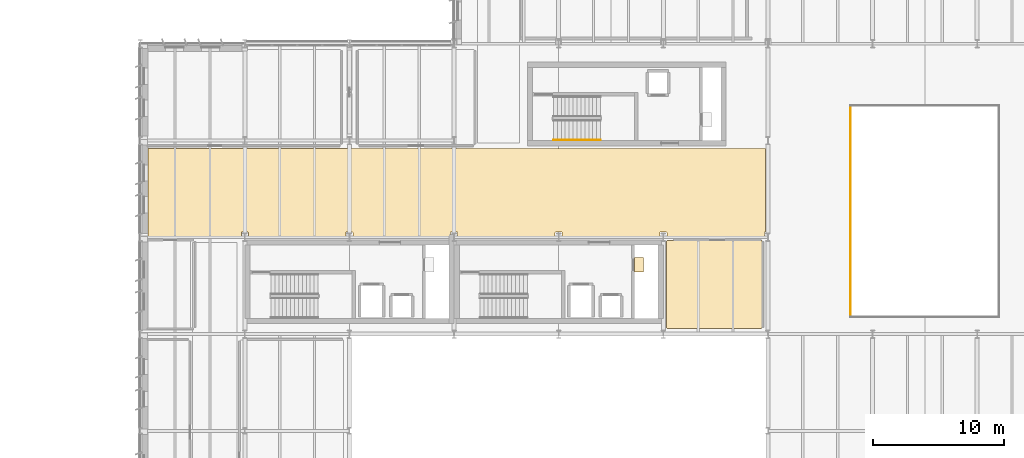
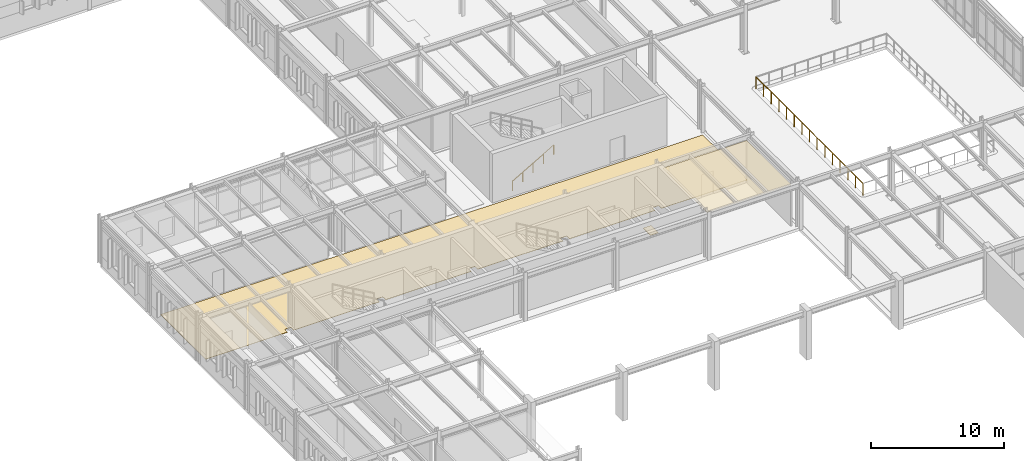
# One storey, part 58 of 75: 3 coverings, 2 railings.
"""IFC4 building model written with IfcOpenShell, lengths in metres."""

import ifcopenshell
import ifcopenshell.guid

model = None  # the IFC model being written
_history = None  # IfcOwnerHistory: only IFC2X3 demands one
_inside = {}  # id of a spatial element -> (the spatial element, [elements in it])
_under = {}  # id of a project, library or spatial element -> (it, [spatial elements below it])
_declared = {}  # id of a project -> (the project, [libraries it declares])
_typed = {}  # id of a type object -> (the type object, [elements of that type])
_made_of = {}  # id of a material, layer set ... -> (it, [elements and type objects made of it])


def new_model(schema):
    """Start an empty IFC model of exactly this schema.

    Asked for "IFC4X3", IfcOpenShell would pick the latest addendum, in which some entities
    have other attributes; the version numbers below select the first issue.
    IFC2X3 requires an IfcOwnerHistory on every rooted entity: one is made here for all.
    """
    global model, _history
    if schema == "IFC4X3":
        model = ifcopenshell.file(schema_version=(4, 3, 0, 0))
    else:
        model = ifcopenshell.file(schema=schema)
    _inside.clear()
    _under.clear()
    _declared.clear()
    _typed.clear()
    _made_of.clear()
    _history = None
    if model.schema == "IFC2X3":
        org = make("IfcOrganization", Name="unknown")
        user = make(
            "IfcPersonAndOrganization",
            ThePerson=make("IfcPerson", FamilyName="unknown"),
            TheOrganization=org,
        )
        app = make(
            "IfcApplication",
            ApplicationDeveloper=org,
            Version="unknown",
            ApplicationFullName="unknown",
            ApplicationIdentifier="unknown",
        )
        _history = make(
            "IfcOwnerHistory",
            OwningUser=user,
            OwningApplication=app,
            ChangeAction="ADDED",
            CreationDate=0,
        )
    return model


def make(cls, **values):
    """One entity of the class cls with the attributes given. An attribute that is None is left unset."""
    return model.create_entity(
        cls, **{name: value for name, value in values.items() if value is not None}
    )


def rooted(cls, **values):
    """An entity with a GlobalId (a new one), such as an element, a storey or a relation."""
    return make(cls, GlobalId=ifcopenshell.guid.new(), OwnerHistory=_history, **values)


def si_unit(unit_type, name, prefix=None):
    """IfcSIUnit, for example si_unit("LENGTHUNIT", "METRE", prefix="MILLI")."""
    return make("IfcSIUnit", UnitType=unit_type, Prefix=prefix, Name=name)


def assignment(units):
    """IfcUnitAssignment: the units of a project."""
    return None if units is None else make("IfcUnitAssignment", Units=units)


def point(xyz):
    """IfcCartesianPoint."""
    return None if xyz is None else make("IfcCartesianPoint", Coordinates=xyz)


def direction(xyz):
    """IfcDirection."""
    return None if xyz is None else make("IfcDirection", DirectionRatios=xyz)


def frame(location, z_axis=None, x_axis=None):
    """IfcAxis2Placement3D, a coordinate frame: its origin and axes. An axis left out is left unset."""
    return make(
        "IfcAxis2Placement3D",
        Location=point(location),
        Axis=direction(z_axis),
        RefDirection=direction(x_axis),
    )


def frame_2d(location, x_axis=None):
    """IfcAxis2Placement2D, a coordinate frame in the plane: its origin and x axis."""
    return make(
        "IfcAxis2Placement2D", Location=point(location), RefDirection=direction(x_axis)
    )


def origin():
    """The frame at (0, 0, 0) with its axes left unset."""
    return frame((0.0, 0.0, 0.0))


def origin_2d():
    """The frame at (0, 0) in the plane with its x axis left unset."""
    return frame_2d((0.0, 0.0))


def place(relative_to, where):
    """IfcLocalPlacement: puts the frame where relative to a parent placement (None: the world)."""
    return make(
        "IfcLocalPlacement", PlacementRelTo=relative_to, RelativePlacement=where
    )


def context(
    kind, dimensions, precision=None, world=None, true_north=None, identifier=None
):
    """IfcGeometricRepresentationContext, for example the 3D "Model" context."""
    return make(
        "IfcGeometricRepresentationContext",
        ContextIdentifier=identifier,
        ContextType=kind,
        CoordinateSpaceDimension=dimensions,
        Precision=precision,
        WorldCoordinateSystem=world,
        TrueNorth=true_north,
    )


def subcontext(parent, identifier, kind, view, scale=None):
    """IfcGeometricRepresentationSubContext, for example "Body" below "Model"."""
    return make(
        "IfcGeometricRepresentationSubContext",
        ContextIdentifier=identifier,
        ContextType=kind,
        ParentContext=parent,
        TargetScale=scale,
        TargetView=view,
    )


def project(units=None, contexts=None):
    """IfcProject with its units and contexts."""
    return rooted(
        "IfcProject",
        Name="project",
        RepresentationContexts=contexts,
        UnitsInContext=assignment(units),
    )


def spatial(cls, under=None, at=None, **own):
    """A site, building, storey or space (cls), placed at a placement, below another one or the project."""
    s = rooted(cls, ObjectPlacement=at, **own)
    if under is not None:
        _under.setdefault(under.id(), (under, []))[1].append(s)
    return s


def polyline(points):
    """IfcPolyline through the points."""
    return make("IfcPolyline", Points=[point(p) for p in points])


def profile(cls, at=None, kind="AREA", **sizes):
    """A parametric profile (cls). Its sizes go by their IFC names, for example OverallWidth=200.0."""
    return make(cls, ProfileType=kind, Position=at, **sizes)


def circle(**sizes):
    """IfcCircleProfileDef."""
    return profile("IfcCircleProfileDef", **sizes)


def outline(outer, holes=None, kind="AREA"):
    """IfcArbitraryClosedProfileDef: a profile drawn as a closed curve; with holes, ...WithVoids."""
    if holes is None:
        return make("IfcArbitraryClosedProfileDef", ProfileType=kind, OuterCurve=outer)
    return make(
        "IfcArbitraryProfileDefWithVoids",
        ProfileType=kind,
        OuterCurve=outer,
        InnerCurves=holes,
    )


def extrude(swept, where, along, depth):
    """IfcExtrudedAreaSolid: the profile swept, set in the frame where, extruded along a direction by depth."""
    return make(
        "IfcExtrudedAreaSolid",
        SweptArea=swept,
        Position=where,
        ExtrudedDirection=direction(along),
        Depth=depth,
    )


def shape(context_of_items, identifier, shape_type, items):
    """IfcShapeRepresentation: the items that make up one representation, for example the "Body"."""
    return make(
        "IfcShapeRepresentation",
        ContextOfItems=context_of_items,
        RepresentationIdentifier=identifier,
        RepresentationType=shape_type,
        Items=items,
    )


def material(Name=None, Category=None):
    """IfcMaterial."""
    return make("IfcMaterial", Name=Name, Category=Category)


def layer(
    of_material, thickness, ventilated=None, Name=None, Category=None, Priority=None
):
    """IfcMaterialLayer: one layer of a wall or slab, of a material (None: an air gap)."""
    return make(
        "IfcMaterialLayer",
        Material=of_material,
        LayerThickness=thickness,
        IsVentilated=ventilated,
        Name=Name,
        Category=Category,
        Priority=Priority,
    )


def layer_set(layers, Name=None):
    """IfcMaterialLayerSet."""
    return make("IfcMaterialLayerSet", MaterialLayers=layers, LayerSetName=Name)


def made_of(thing, what):
    """Note that an element or type object is made of a material, layer set ...; save() writes the relation."""
    if what is not None:
        _made_of.setdefault(what.id(), (what, []))[1].append(thing)
    return thing


def type_object(cls, material=None, **own):
    """A type object (cls), such as IfcWallType, which elements share."""
    return made_of(rooted(cls, **own), material)


def element(
    cls,
    number,
    at=None,
    inside=None,
    cuts=None,
    type_object=None,
    material=None,
    context=None,
    identifier="Body",
    shape_type=None,
    held_by="IfcProductDefinitionShape",
    body=None,
    shapes=None,
    **own,
):
    """One element of the class cls, such as IfcWall. Its Tag is "e" and its number.

    at: its placement. inside: the storey or other place that contains it. cuts: it is an
    opening in that element (IfcRelVoidsElement). A single representation is given by context,
    identifier, shape_type and body (its items); several are given by shapes. held_by: the class
    of the entity that holds the representations. save() writes the other relations.
    """
    e = rooted(cls, Tag="e%d" % number, ObjectPlacement=at, **own)
    if body is not None:
        shapes = [shape(context, identifier, shape_type, body)]
    if shapes is not None:
        e.Representation = make(held_by, Representations=shapes)
    if inside is not None:
        _inside.setdefault(inside.id(), (inside, []))[1].append(e)
    if cuts is not None:
        rooted(
            "IfcRelVoidsElement", RelatingBuildingElement=cuts, RelatedOpeningElement=e
        )
    if type_object is not None:
        _typed.setdefault(type_object.id(), (type_object, []))[1].append(e)
    return made_of(e, material)


def aggregate(whole, parts):
    """IfcRelAggregates: a whole, such as a stair, and the parts it consists of."""
    return rooted("IfcRelAggregates", RelatingObject=whole, RelatedObjects=parts)


def save(model, path):
    """Write the relations noted so far, then the file.

    IfcRelAggregates (storeys below a building ...), IfcRelContainedInSpatialStructure (elements
    in a storey), IfcRelDefinesByType, IfcRelAssociatesMaterial and IfcRelDeclares: one each for
    every whole, place, type object, material and project.
    """
    for whole, parts in _under.values():
        aggregate(whole, parts)
    for where, things in _inside.values():
        rooted(
            "IfcRelContainedInSpatialStructure",
            RelatedElements=things,
            RelatingStructure=where,
        )
    for kind, things in _typed.values():
        rooted("IfcRelDefinesByType", RelatedObjects=things, RelatingType=kind)
    for what, things in _made_of.values():
        rooted("IfcRelAssociatesMaterial", RelatedObjects=things, RelatingMaterial=what)
    for by, libraries in _declared.values():
        rooted("IfcRelDeclares", RelatingContext=by, RelatedDefinitions=libraries)
    model.write(path)


model = new_model("IFC4")

# Units and contexts
model_context = context("Model", 3, precision=1e-05, world=origin(), true_north=direction((0.0, 1.0)))
body_context = subcontext(model_context, "Body", "Model", "MODEL_VIEW")
ifc_project = project(units=[si_unit("LENGTHUNIT", "METRE"), si_unit("AREAUNIT", "SQUARE_METRE"), si_unit("VOLUMEUNIT", "CUBIC_METRE"), si_unit("PLANEANGLEUNIT", "RADIAN"), si_unit("MASSUNIT", "GRAM", prefix="KILO")], contexts=[model_context])

# Site, building, storey
site_placement = place(None, origin())
site = spatial("IfcSite", under=ifc_project, at=site_placement, CompositionType="ELEMENT")
building_placement = place(site_placement, origin())
building = spatial("IfcBuilding", under=site, at=building_placement, Name="Valkorina Park Police Headquarters", CompositionType="ELEMENT")
storey_placement = place(building_placement, frame((0.0, 0.0, 5.39990234375)))
storey = spatial("IfcBuildingStorey", under=building, at=storey_placement, Name="L02", CompositionType="ELEMENT", Elevation=5.39990234375)

# Coverings
ifc_material_1 = material(Name="Acoustic mineral board")
ifc_layer_1 = layer(ifc_material_1, 0.02490234375)
ifc_layer_set_1 = layer_set([ifc_layer_1], Name="Acoustic mineral board")
covering_type_1 = type_object("IfcCoveringType", Name="COV-CEILING-ACOUST", PredefinedType="CEILING", material=ifc_layer_set_1)
covering_1_placement = place(storey_placement, frame((0.0, 0.0, 3.85498046875)))
element("IfcCovering", 1, at=covering_1_placement, inside=storey, type_object=covering_type_1, Name="L02 Accessible WC Acoustic Suspended Ceiling", PredefinedType="CEILING", context=body_context, shape_type="SweptSolid", body=[
    extrude(outline(polyline([(56.3583984375, 37.50439453125), (56.359619140625, 37.51220703125), (56.360107421875, 37.52001953125), (56.360107421875, 44.080078125), (56.359619140625, 44.087890625), (56.3583984375, 44.095703125), (56.356689453125, 44.103271484375), (56.35400390625, 44.110595703125), (56.3505859375, 44.11767578125), (56.346435546875, 44.12451171875), (56.341796875, 44.130859375), (56.336669921875, 44.13671875), (56.330810546875, 44.141845703125), (56.324462890625, 44.146484375), (56.317626953125, 44.150634765625), (56.310546875, 44.15380859375), (56.30322265625, 44.156494140625), (56.295654296875, 44.158447265625), (56.287841796875, 44.15966796875), (56.280029296875, 44.159912109375), (49.1201171875, 44.159912109375), (49.1123046875, 44.15966796875), (49.1044921875, 44.158447265625), (49.0966796875, 44.156494140625), (49.08935546875, 44.15380859375), (49.082275390625, 44.150634765625), (49.07568359375, 44.146484375), (49.069091796875, 44.141845703125), (49.0634765625, 44.13671875), (49.05810546875, 44.130859375), (49.053466796875, 44.12451171875), (49.04931640625, 44.11767578125), (49.046142578125, 44.110595703125), (49.04345703125, 44.103271484375), (49.04150390625, 44.095703125), (49.040283203125, 44.087890625), (49.0400390625, 44.080078125), (49.0400390625, 37.52001953125), (49.040283203125, 37.51220703125), (49.04150390625, 37.50439453125), (49.04345703125, 37.496826171875), (49.046142578125, 37.489501953125), (49.04931640625, 37.482421875), (49.053466796875, 37.4755859375), (49.05810546875, 37.46923828125), (49.0634765625, 37.46337890625), (49.069091796875, 37.458251953125), (49.07568359375, 37.45361328125), (49.082275390625, 37.449462890625), (49.08935546875, 37.446044921875), (49.0966796875, 37.443359375), (49.1044921875, 37.44140625), (49.1123046875, 37.4404296875), (49.1201171875, 37.43994140625), (56.280029296875, 37.43994140625), (56.287841796875, 37.4404296875), (56.295654296875, 37.44140625), (56.30322265625, 37.443359375), (56.310546875, 37.446044921875), (56.317626953125, 37.449462890625), (56.324462890625, 37.45361328125), (56.330810546875, 37.458251953125), (56.336669921875, 37.46337890625), (56.341796875, 37.46923828125), (56.346435546875, 37.4755859375), (56.3505859375, 37.482421875), (56.35400390625, 37.489501953125), (56.356689453125, 37.496826171875), (56.3583984375, 37.50439453125)])), origin(), (0.0, 0.0, 1.0), 0.025146484375),
])
ifc_material_2 = material(Name="Resin terrazzo flooring")
ifc_layer_2 = layer(ifc_material_2, 0.030029296875)
ifc_layer_set_2 = layer_set([ifc_layer_2], Name="Resin terrazzo flooring")
covering_type_2 = type_object("IfcCoveringType", Name="COV-FLOOR-TERRAZZO", PredefinedType="FLOORING", material=ifc_layer_set_2)
covering_2_placement = place(storey_placement, origin())
element("IfcCovering", 2, at=covering_2_placement, inside=storey, type_object=covering_type_2, Name="Core C2 L02 Riser Inspection Threshold Grate", PredefinedType="FLOORING", context=body_context, shape_type="SweptSolid", body=[
    extrude(outline(polyline([(47.280029296875, 41.75), (47.280029296875, 42.85009765625), (46.580078125, 42.85009765625), (46.580078125, 41.75), (47.280029296875, 41.75)])), origin(), (0.0, 0.0, 1.0), 0.030029296875),
])
covering_3_placement = place(storey_placement, origin())
element("IfcCovering", 3, at=covering_3_placement, inside=storey, type_object=covering_type_2, Name="L02 Spine Corridor Terrazzo Flooring", PredefinedType="FLOORING", context=body_context, shape_type="SweptSolid", body=[
    extrude(outline(polyline([(56.60009765625, 51.199951171875), (9.39990234375, 51.199951171875), (9.39990234375, 44.39990234375), (16.530029296875, 44.39990234375), (16.530029296875, 44.739990234375), (16.530517578125, 44.747802734375), (16.531494140625, 44.755615234375), (16.533447265625, 44.76318359375), (16.5361328125, 44.7705078125), (16.539306640625, 44.777587890625), (16.54345703125, 44.784423828125), (16.548095703125, 44.790771484375), (16.553466796875, 44.796630859375), (16.55908203125, 44.8017578125), (16.565673828125, 44.806396484375), (16.572265625, 44.810546875), (16.579345703125, 44.81396484375), (16.5869140625, 44.816650390625), (16.594482421875, 44.818603515625), (16.602294921875, 44.819580078125), (16.610107421875, 44.820068359375), (16.989990234375, 44.820068359375), (16.997802734375, 44.819580078125), (17.005615234375, 44.818603515625), (17.01318359375, 44.816650390625), (17.0205078125, 44.81396484375), (17.027587890625, 44.810546875), (17.034423828125, 44.806396484375), (17.040771484375, 44.8017578125), (17.046630859375, 44.796630859375), (17.0517578125, 44.790771484375), (17.056396484375, 44.784423828125), (17.060546875, 44.777587890625), (17.06396484375, 44.7705078125), (17.066650390625, 44.76318359375), (17.068603515625, 44.755615234375), (17.069580078125, 44.747802734375), (17.070068359375, 44.739990234375), (17.070068359375, 44.39990234375), (24.530029296875, 44.39990234375), (24.530029296875, 44.739990234375), (24.530517578125, 44.747802734375), (24.531494140625, 44.755615234375), (24.533447265625, 44.76318359375), (24.5361328125, 44.7705078125), (24.539306640625, 44.777587890625), (24.54345703125, 44.784423828125), (24.548095703125, 44.790771484375), (24.553466796875, 44.796630859375), (24.55908203125, 44.8017578125), (24.565673828125, 44.806396484375), (24.572265625, 44.810546875), (24.579345703125, 44.81396484375), (24.5869140625, 44.816650390625), (24.594482421875, 44.818603515625), (24.602294921875, 44.819580078125), (24.610107421875, 44.820068359375), (24.989990234375, 44.820068359375), (24.997802734375, 44.819580078125), (25.005615234375, 44.818603515625), (25.01318359375, 44.816650390625), (25.0205078125, 44.81396484375), (25.027587890625, 44.810546875), (25.034423828125, 44.806396484375), (25.040771484375, 44.8017578125), (25.046630859375, 44.796630859375), (25.0517578125, 44.790771484375), (25.056396484375, 44.784423828125), (25.060546875, 44.777587890625), (25.06396484375, 44.7705078125), (25.066650390625, 44.76318359375), (25.068603515625, 44.755615234375), (25.069580078125, 44.747802734375), (25.070068359375, 44.739990234375), (25.070068359375, 44.39990234375), (32.530029296875, 44.39990234375), (32.530029296875, 44.739990234375), (32.530517578125, 44.747802734375), (32.531494140625, 44.755615234375), (32.533447265625, 44.76318359375), (32.5361328125, 44.7705078125), (32.539306640625, 44.777587890625), (32.54345703125, 44.784423828125), (32.548095703125, 44.790771484375), (32.553466796875, 44.796630859375), (32.55908203125, 44.8017578125), (32.565673828125, 44.806396484375), (32.572265625, 44.810546875), (32.579345703125, 44.81396484375), (32.5869140625, 44.816650390625), (32.594482421875, 44.818603515625), (32.602294921875, 44.819580078125), (32.610107421875, 44.820068359375), (32.989990234375, 44.820068359375), (32.997802734375, 44.819580078125), (33.005615234375, 44.818603515625), (33.01318359375, 44.816650390625), (33.0205078125, 44.81396484375), (33.027587890625, 44.810546875), (33.034423828125, 44.806396484375), (33.040771484375, 44.8017578125), (33.046630859375, 44.796630859375), (33.0517578125, 44.790771484375), (33.056396484375, 44.784423828125), (33.060546875, 44.777587890625), (33.06396484375, 44.7705078125), (33.066650390625, 44.76318359375), (33.068603515625, 44.755615234375), (33.069580078125, 44.747802734375), (33.070068359375, 44.739990234375), (33.070068359375, 44.39990234375), (40.530029296875, 44.39990234375), (40.530029296875, 44.739990234375), (40.530517578125, 44.747802734375), (40.531494140625, 44.755615234375), (40.533447265625, 44.76318359375), (40.5361328125, 44.7705078125), (40.539306640625, 44.777587890625), (40.54345703125, 44.784423828125), (40.548095703125, 44.790771484375), (40.553466796875, 44.796630859375), (40.55908203125, 44.8017578125), (40.565673828125, 44.806396484375), (40.572265625, 44.810546875), (40.579345703125, 44.81396484375), (40.5869140625, 44.816650390625), (40.594482421875, 44.818603515625), (40.602294921875, 44.819580078125), (40.610107421875, 44.820068359375), (40.989990234375, 44.820068359375), (40.997802734375, 44.819580078125), (41.005615234375, 44.818603515625), (41.01318359375, 44.816650390625), (41.0205078125, 44.81396484375), (41.027587890625, 44.810546875), (41.034423828125, 44.806396484375), (41.040771484375, 44.8017578125), (41.046630859375, 44.796630859375), (41.0517578125, 44.790771484375), (41.056396484375, 44.784423828125), (41.060546875, 44.777587890625), (41.06396484375, 44.7705078125), (41.066650390625, 44.76318359375), (41.068603515625, 44.755615234375), (41.069580078125, 44.747802734375), (41.070068359375, 44.739990234375), (41.070068359375, 44.39990234375), (48.530029296875, 44.39990234375), (48.530029296875, 44.739990234375), (48.530517578125, 44.747802734375), (48.531494140625, 44.755615234375), (48.533447265625, 44.76318359375), (48.5361328125, 44.7705078125), (48.539306640625, 44.777587890625), (48.54345703125, 44.784423828125), (48.548095703125, 44.790771484375), (48.553466796875, 44.796630859375), (48.55908203125, 44.8017578125), (48.565673828125, 44.806396484375), (48.572265625, 44.810546875), (48.579345703125, 44.81396484375), (48.5869140625, 44.816650390625), (48.594482421875, 44.818603515625), (48.602294921875, 44.819580078125), (48.610107421875, 44.820068359375), (48.989990234375, 44.820068359375), (48.997802734375, 44.819580078125), (49.005615234375, 44.818603515625), (49.01318359375, 44.816650390625), (49.0205078125, 44.81396484375), (49.027587890625, 44.810546875), (49.034423828125, 44.806396484375), (49.040771484375, 44.8017578125), (49.046630859375, 44.796630859375), (49.0517578125, 44.790771484375), (49.056396484375, 44.784423828125), (49.060546875, 44.777587890625), (49.06396484375, 44.7705078125), (49.066650390625, 44.76318359375), (49.068603515625, 44.755615234375), (49.069580078125, 44.747802734375), (49.070068359375, 44.739990234375), (49.070068359375, 44.39990234375), (56.530029296875, 44.39990234375), (56.530029296875, 44.739990234375), (56.530517578125, 44.747802734375), (56.531494140625, 44.755615234375), (56.533447265625, 44.76318359375), (56.5361328125, 44.7705078125), (56.539306640625, 44.777587890625), (56.54345703125, 44.784423828125), (56.548095703125, 44.790771484375), (56.553466796875, 44.796630859375), (56.55908203125, 44.8017578125), (56.565673828125, 44.806396484375), (56.572265625, 44.810546875), (56.579345703125, 44.81396484375), (56.5869140625, 44.816650390625), (56.594482421875, 44.818603515625), (56.60009765625, 44.8193359375), (56.60009765625, 51.199951171875)])), origin(), (0.0, 0.0, 1.0), 0.030029296875),
])

# Railings
ifc_material_3 = material(Name="Stainless steel EN 1.4404", Category="steel")
railing_type_1 = type_object("IfcRailingType", Name="RL-GUARD-INT-1100", PredefinedType="BALUSTRADE", material=ifc_material_3)
railing_1_placement = place(storey_placement, frame((63.1201171875, 54.47998046875, 0.0)))
element("IfcRailing", 4, at=railing_1_placement, inside=storey, type_object=railing_type_1, Name="L02 Winter Concourse Atrium Balustrade 4", PredefinedType="BALUSTRADE", context=body_context, shape_type="SweptSolid", body=[
    extrude(circle(Radius=0.02392578125, at=origin_2d()), frame((0.0, 0.0, 1.09619140625), z_axis=(0.0, -1.0, 0.0), x_axis=(1.0, 0.0, 0.0)), (0.0, 0.0, 1.0), 16.159912109375),
    extrude(circle(Radius=0.02099609375, at=origin_2d()), origin(), (0.0, 0.0, 1.0), 1.072021484375),
    extrude(circle(Radius=0.02099609375, at=origin_2d()), frame((0.0, -1.154296875, 0.0)), (0.0, 0.0, 1.0), 1.072021484375),
    extrude(circle(Radius=0.02099609375, at=origin_2d()), frame((0.0, -2.30859375, 0.0)), (0.0, 0.0, 1.0), 1.072021484375),
    extrude(circle(Radius=0.02099609375, at=origin_2d()), frame((0.0, -3.462890625, 0.0)), (0.0, 0.0, 1.0), 1.072021484375),
    extrude(circle(Radius=0.02099609375, at=origin_2d()), frame((0.0, -4.6171875, 0.0)), (0.0, 0.0, 1.0), 1.072021484375),
    extrude(circle(Radius=0.02099609375, at=origin_2d()), frame((0.0, -5.771484375, 0.0)), (0.0, 0.0, 1.0), 1.072021484375),
    extrude(circle(Radius=0.02099609375, at=origin_2d()), frame((0.0, -6.92578125, 0.0)), (0.0, 0.0, 1.0), 1.072021484375),
    extrude(circle(Radius=0.02099609375, at=origin_2d()), frame((0.0, -8.080078125, 0.0)), (0.0, 0.0, 1.0), 1.072021484375),
    extrude(circle(Radius=0.02099609375, at=origin_2d()), frame((0.0, -9.234130859375, 0.0)), (0.0, 0.0, 1.0), 1.072021484375),
    extrude(circle(Radius=0.02099609375, at=origin_2d()), frame((0.0, -10.388427734375, 0.0)), (0.0, 0.0, 1.0), 1.072021484375),
    extrude(circle(Radius=0.02099609375, at=origin_2d()), frame((0.0, -11.542724609375, 0.0)), (0.0, 0.0, 1.0), 1.072021484375),
    extrude(circle(Radius=0.02099609375, at=origin_2d()), frame((0.0, -12.697021484375, 0.0)), (0.0, 0.0, 1.0), 1.072021484375),
    extrude(circle(Radius=0.02099609375, at=origin_2d()), frame((0.0, -13.851318359375, 0.0)), (0.0, 0.0, 1.0), 1.072021484375),
    extrude(circle(Radius=0.02099609375, at=origin_2d()), frame((0.0, -15.005615234375, 0.0)), (0.0, 0.0, 1.0), 1.072021484375),
    extrude(circle(Radius=0.02099609375, at=origin_2d()), frame((0.0, -16.159912109375, 0.0)), (0.0, 0.0, 1.0), 1.072021484375),
])
railing_type_2 = type_object("IfcRailingType", Name="RL-HANDRAIL-900", PredefinedType="HANDRAIL", material=ifc_material_3)
railing_2_placement = place(storey_placement, frame((40.39990234375, 51.85009765625, 0.173095703125)))
element("IfcRailing", 5, at=railing_2_placement, inside=storey, type_object=railing_type_2, Name="L02 Core C3 Stair Handrail 1", PredefinedType="HANDRAIL", context=body_context, shape_type="SweptSolid", body=[
    extrude(circle(Radius=0.02392578125, at=origin_2d()), frame((0.0, 0.0, 0.8759765625), z_axis=(0.866193409371, 0.0, 0.499708892819), x_axis=(0.0, 1.0, 0.0)), (0.0, 0.0, 1.0), 4.15625),
    extrude(circle(Radius=0.02099609375, at=origin_2d()), origin(), (0.0, 0.0, 1.0), 0.851806640625),
    extrude(circle(Radius=0.02099609375, at=origin_2d()), frame((0.89990234375, 0.0, 0.519287109375)), (0.0, 0.0, 1.0), 0.851806640625),
    extrude(circle(Radius=0.02099609375, at=origin_2d()), frame((1.800048828125, 0.0, 1.03857421875)), (0.0, 0.0, 1.0), 0.851806640625),
    extrude(circle(Radius=0.02099609375, at=origin_2d()), frame((2.7001953125, 0.0, 1.5576171875)), (0.0, 0.0, 1.0), 0.851806640625),
    extrude(circle(Radius=0.02099609375, at=origin_2d()), frame((3.60009765625, 0.0, 2.076904296875)), (0.0, 0.0, 1.0), 0.851806640625),
])

save(model, "model.ifc")
